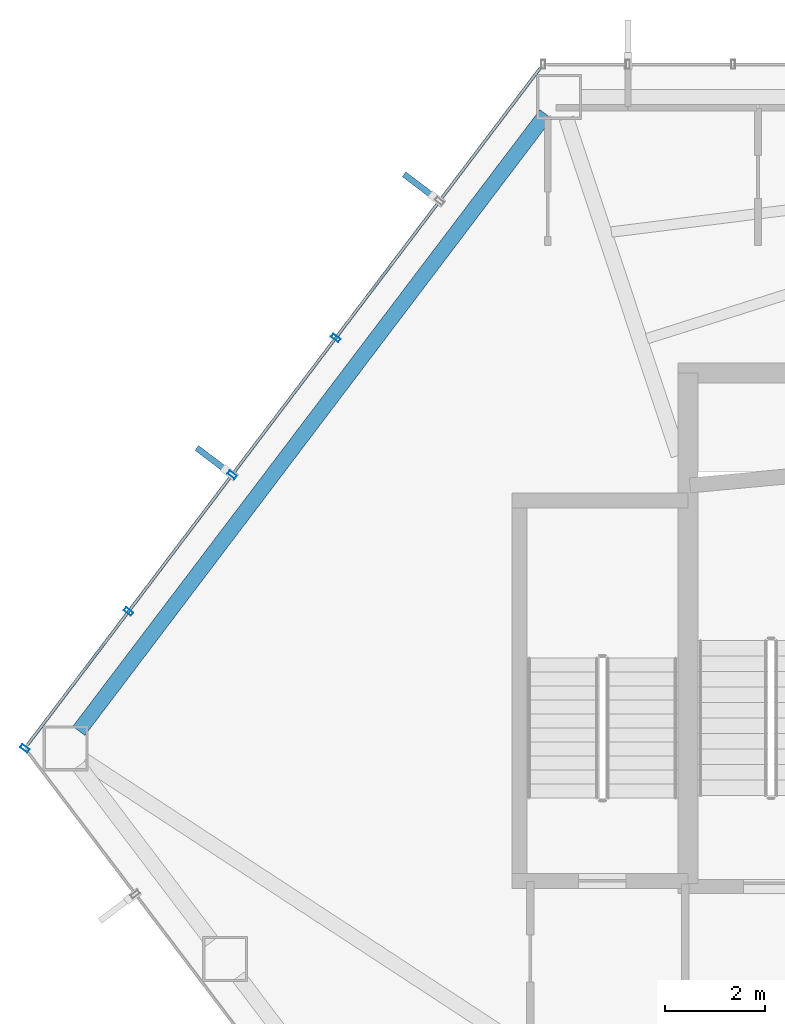
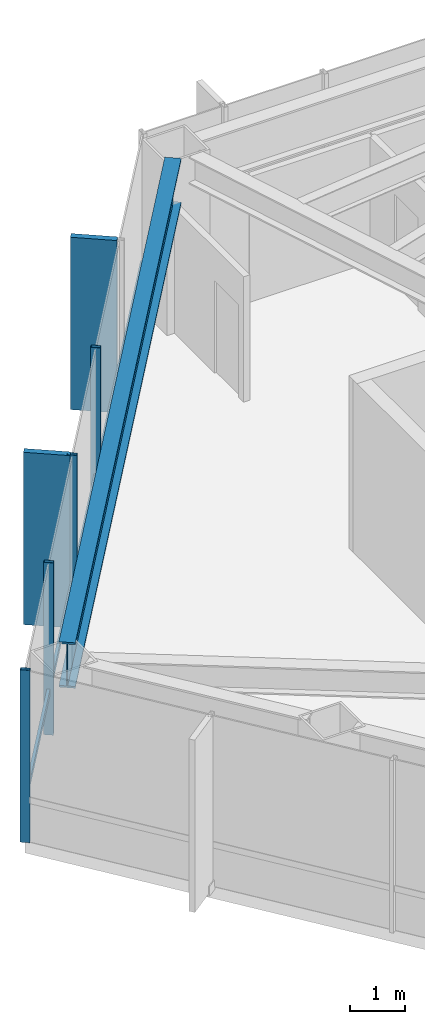
# One storey, part 10 of 25: 7 members, 1 beam, 1 element without a shape of its own.
"""IFC4 building model written with IfcOpenShell, lengths in metres."""

from ifc_helpers import new_model, si_unit, direction, frame, origin, origin_2d, place, context, subcontext, project, spatial, rectangle, hollow_rectangle, i_section, extrude, material, layer, layer_set, material_profile, profile_set, type_object, element, aggregate, save


model = new_model("IFC4")

# Units and contexts
model_context = context("Model", 3, precision=1e-05, world=origin(), true_north=direction((0.0, 1.0)))
body_context = subcontext(model_context, "Body", "Model", "MODEL_VIEW")
ifc_project = project(units=[si_unit("LENGTHUNIT", "METRE"), si_unit("AREAUNIT", "SQUARE_METRE"), si_unit("VOLUMEUNIT", "CUBIC_METRE"), si_unit("PLANEANGLEUNIT", "RADIAN"), si_unit("MASSUNIT", "GRAM", prefix="KILO")], contexts=[model_context])

# Site, building, storey
site_placement = place(None, origin())
site = spatial("IfcSite", under=ifc_project, at=site_placement, CompositionType="ELEMENT")
building_placement = place(site_placement, origin())
building = spatial("IfcBuilding", under=site, at=building_placement, Name="Zarrinselat Tower", CompositionType="ELEMENT")
storey_placement = place(building_placement, frame((0.0, 0.0, 84.659912109375)))
storey = spatial("IfcBuildingStorey", under=building, at=storey_placement, Name="L20", CompositionType="ELEMENT", Elevation=84.659912109375)

# Beam
ifc_material_1 = material(Name="Steel S460M", Category="steel")
ifc_material_profile_1 = material_profile(ifc_material_1, i_section(OverallWidth=0.302001953125, OverallDepth=1.008056640625, WebThickness=0.02099609375, FlangeThickness=0.0400390625, at=origin_2d()), Name="HEM 1000")
ifc_profile_set_1 = profile_set([ifc_material_profile_1], Name="Steel S460M")
beam_type = type_object("IfcBeamType", Name="BM-HEM1000", PredefinedType="BEAM", material=ifc_profile_set_1)
beam_placement = place(storey_placement, frame((16.427734375, 36.294921875, 3.316162109375), z_axis=(0.603848870457, 0.797098828031, 0.0), x_axis=(-0.797098828031, 0.603848870457, 0.0)))
element("IfcBeam", 1, at=beam_placement, inside=storey, type_object=beam_type, Name="L20 Perimeter Spandrel Girder SP05", PredefinedType="BEAM", context=body_context, shape_type="SweptSolid", body=[
    extrude(i_section(OverallWidth=0.302001953125, OverallDepth=1.008056640625, WebThickness=0.02099609375, FlangeThickness=0.0400390625, at=origin_2d()), origin(), (0.0, 0.0, 1.0), 15.45947265625),
])

# Curtain wall, members
ifc_material_2 = material(Name="Extruded Aluminium Alloy EN AW-6063 T6", Category="aluminium")
ifc_layer = layer(ifc_material_2, 0.18505859375)
ifc_layer_set = layer_set([ifc_layer], Name="Extruded Aluminium Alloy EN AW-6063 T6")
curtain_wall_type = type_object("IfcCurtainWallType", Name="CWS-OFF", PredefinedType="NOTDEFINED", material=ifc_layer_set)
curtain_wall_placement = place(storey_placement, origin())
curtain_wall = element("IfcCurtainWall", 2, at=curtain_wall_placement, inside=storey, type_object=curtain_wall_type, Name="L20 Unitised Curtain Wall CW-L20-E02", PredefinedType="NOTDEFINED")
ifc_material_3 = material(Name="Extruded Aluminium Alloy EN AW-6063 T6", Category="aluminium")
ifc_material_profile_2 = material_profile(ifc_material_3, hollow_rectangle(XDim=0.080078125, YDim=0.179931640625, WallThickness=0.0048828125, at=origin_2d()), Name="RHS 180x80x5")
ifc_profile_set_2 = profile_set([ifc_material_profile_2], Name="Extruded Aluminium Alloy EN AW-6063 T6")
member_type_1 = type_object("IfcMemberType", Name="MEM-CW-MUL", PredefinedType="MULLION", material=ifc_profile_set_2)
member_1_placement = place(storey_placement, frame((21.561767578125, 44.148193359375, 0.0), z_axis=(0.0, 0.0, 1.0), x_axis=(-0.603857014451, -0.797092658414, 0.0)))
member_1 = element("IfcMember", 3, at=member_1_placement, type_object=member_type_1, Name="CW-L20-E02 Mullion 2", PredefinedType="MULLION", context=body_context, shape_type="SweptSolid", body=[
    extrude(hollow_rectangle(XDim=0.080078125, YDim=0.179931640625, WallThickness=0.0048828125, at=origin_2d()), origin(), (0.0, 0.0, 1.0), 3.820068359375),
])
member_2_placement = place(storey_placement, frame((19.490478515625, 41.4140625, 0.0), z_axis=(0.0, 0.0, 1.0), x_axis=(-0.603857014451, -0.797092658414, 0.0)))
member_2 = element("IfcMember", 4, at=member_2_placement, type_object=member_type_1, Name="CW-L20-E02 Mullion 3", PredefinedType="MULLION", context=body_context, shape_type="SweptSolid", body=[
    extrude(hollow_rectangle(XDim=0.080078125, YDim=0.179931640625, WallThickness=0.0048828125, at=origin_2d()), origin(), (0.0, 0.0, 1.0), 3.820068359375),
])
member_3_placement = place(storey_placement, frame((17.419189453125, 38.679931640625, 0.0), z_axis=(0.0, 0.0, 1.0), x_axis=(-0.603857014451, -0.797092658414, 0.0)))
member_3 = element("IfcMember", 5, at=member_3_placement, type_object=member_type_1, Name="CW-L20-E02 Mullion 4", PredefinedType="MULLION", context=body_context, shape_type="SweptSolid", body=[
    extrude(hollow_rectangle(XDim=0.080078125, YDim=0.179931640625, WallThickness=0.0048828125, at=origin_2d()), origin(), (0.0, 0.0, 1.0), 3.820068359375),
])
member_4_placement = place(storey_placement, frame((15.34765625, 35.94580078125, 0.0), z_axis=(0.0, 0.0, 1.0), x_axis=(-0.603857014451, -0.797092658414, 0.0)))
member_4 = element("IfcMember", 6, at=member_4_placement, type_object=member_type_1, Name="CW-L20-E02 Mullion 5", PredefinedType="MULLION", context=body_context, shape_type="SweptSolid", body=[
    extrude(hollow_rectangle(XDim=0.080078125, YDim=0.179931640625, WallThickness=0.0048828125, at=origin_2d()), origin(), (0.0, 0.0, 1.0), 3.820068359375),
])
ifc_material_4 = material(Name="Extruded Aluminium Alloy EN AW-6063 T6", Category="aluminium")
ifc_material_profile_3 = material_profile(ifc_material_4, hollow_rectangle(XDim=0.06005859375, YDim=0.139892578125, WallThickness=0.00390625, at=origin_2d()), Name="RHS 140x60x4")
ifc_profile_set_3 = profile_set([ifc_material_profile_3], Name="Extruded Aluminium Alloy EN AW-6063 T6")
member_type_2 = type_object("IfcMemberType", Name="MEM-CW-TRN", PredefinedType="USERDEFINED", material=ifc_profile_set_3)
member_5_placement = place(storey_placement, frame((25.650146484375, 49.544921875, 0.9501953125), z_axis=(-0.603852979489, -0.797095715183, 0.0), x_axis=(0.797095715183, -0.603852979489, 0.0)))
member_5 = element("IfcMember", 7, at=member_5_placement, type_object=member_type_2, Name="CW-L20-E02 Transom 1", ObjectType="TRANSOM", PredefinedType="USERDEFINED", context=body_context, shape_type="SweptSolid", body=[
    extrude(hollow_rectangle(XDim=0.06005859375, YDim=0.139892578125, WallThickness=0.00390625, at=origin_2d()), origin(), (0.0, 0.0, 1.0), 16.97119140625),
])
ifc_material_5 = material(Name="Honed Cream Travertine Stone", Category="masonry")
ifc_material_profile_4 = material_profile(ifc_material_5, rectangle(XDim=0.1201171875, YDim=0.85009765625, at=origin_2d()), Name="FIN 850x120")
ifc_profile_set_4 = profile_set([ifc_material_profile_4], Name="Honed Cream Travertine Stone")
member_type_3 = type_object("IfcMemberType", Name="MEM-STONE-FIN", PredefinedType="USERDEFINED", material=ifc_profile_set_4)
member_6_placement = place(storey_placement, frame((23.266357421875, 47.160400390625, 0.0), z_axis=(0.0, 0.0, 1.0), x_axis=(0.603857014451, 0.797092658414, 0.0)))
member_6 = element("IfcMember", 8, at=member_6_placement, type_object=member_type_3, Name="L20 Stone Shading Fin CW-L20-E02-01", ObjectType="FIN", PredefinedType="USERDEFINED", context=body_context, shape_type="SweptSolid", body=[
    extrude(rectangle(XDim=0.1201171875, YDim=0.85009765625, at=origin_2d()), origin(), (0.0, 0.0, 1.0), 3.820068359375),
])
member_7_placement = place(storey_placement, frame((19.123779296875, 41.69189453125, 0.0), z_axis=(0.0, 0.0, 1.0), x_axis=(0.603857014451, 0.797092658414, 0.0)))
member_7 = element("IfcMember", 9, at=member_7_placement, type_object=member_type_3, Name="L20 Stone Shading Fin CW-L20-E02-03", ObjectType="FIN", PredefinedType="USERDEFINED", context=body_context, shape_type="SweptSolid", body=[
    extrude(rectangle(XDim=0.1201171875, YDim=0.85009765625, at=origin_2d()), origin(), (0.0, 0.0, 1.0), 3.820068359375),
])
aggregate(curtain_wall, [member_6, member_1, member_2, member_7, member_3, member_4, member_5])

save(model, "model.ifc")
